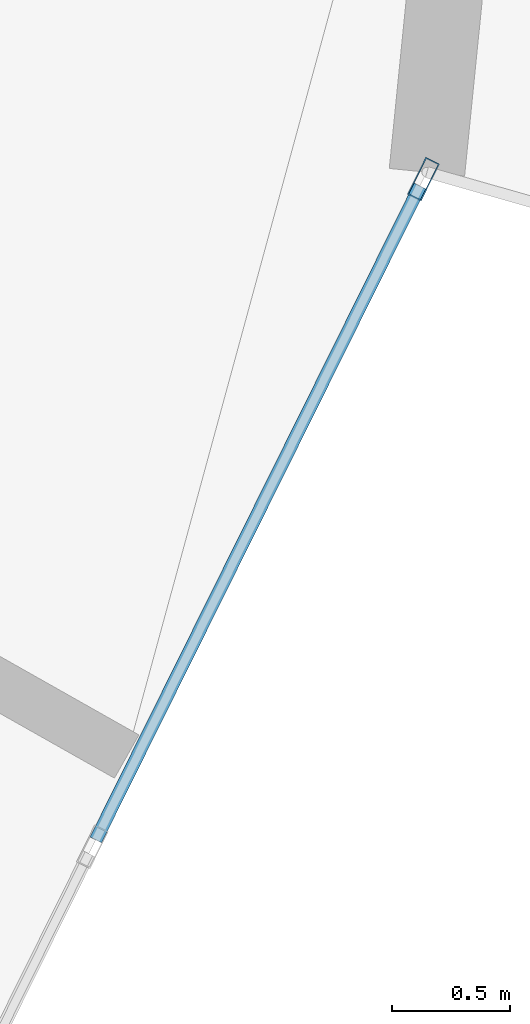
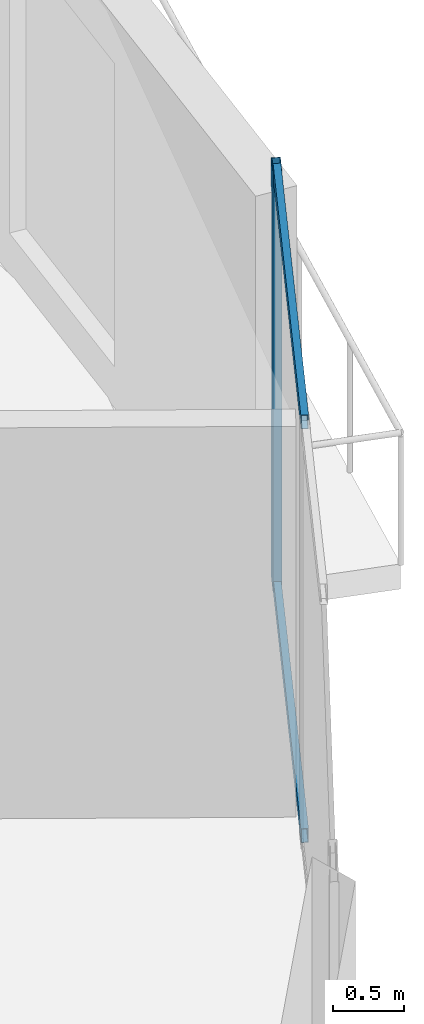
# One storey, part 11 of 25: 3 members, 1 element without a shape of its own.
"""IFC4 building model written with IfcOpenShell, lengths in metres."""

from ifc_helpers import new_model, si_unit, direction, frame, origin, origin_2d, place, context, subcontext, project, spatial, hollow_rectangle, extrude, source, transform, mapped, material, layer, layer_set, material_profile, profile_set, type_object, element, aggregate, save


model = new_model("IFC4")

# Units and contexts
model_context = context("Model", 3, precision=1e-05, world=origin(), true_north=direction((0.0, 1.0)))
body_context = subcontext(model_context, "Body", "Model", "MODEL_VIEW")
ifc_project = project(units=[si_unit("LENGTHUNIT", "METRE"), si_unit("AREAUNIT", "SQUARE_METRE"), si_unit("VOLUMEUNIT", "CUBIC_METRE"), si_unit("PLANEANGLEUNIT", "RADIAN"), si_unit("MASSUNIT", "GRAM", prefix="KILO")], contexts=[model_context])

# Site, building, storey
site_placement = place(None, origin())
site = spatial("IfcSite", under=ifc_project, at=site_placement, CompositionType="ELEMENT")
building_placement = place(site_placement, origin())
building = spatial("IfcBuilding", under=site, at=building_placement, Name="Solvirekh Grand Hotel", CompositionType="ELEMENT")
storey_placement = place(building_placement, frame((0.0, 0.0, 124.199951171875)))
storey = spatial("IfcBuildingStorey", under=building, at=storey_placement, Name="L31", CompositionType="ELEMENT", Elevation=124.199951171875)

# Curtain wall, members
ifc_material = material(Name="Anodized Bronze Aluminium 6063-T6", Category="aluminium")
ifc_layer = layer(ifc_material, 0.175048828125)
ifc_layer_set = layer_set([ifc_layer], Name="Anodized Bronze Aluminium 6063-T6")
curtain_wall_type = type_object("IfcCurtainWallType", Name="CW_Sys3_MidZoneFlushBronzeCW", PredefinedType="NOTDEFINED", material=ifc_layer_set)
curtain_wall_placement = place(storey_placement, origin())
curtain_wall = element("IfcCurtainWall", 1, at=curtain_wall_placement, inside=storey, type_object=curtain_wall_type, Name="L31 unitised bronze-glass curtain wall CW-L31-C01", PredefinedType="NOTDEFINED")
ifc_material_profile_1 = material_profile(ifc_material, hollow_rectangle(XDim=0.054931640625, YDim=0.1201171875, WallThickness=0.00390625, at=origin_2d()), Name="ALU RHS 120X55X4")
ifc_profile_set_1 = profile_set([ifc_material_profile_1], Name="Anodized Bronze Aluminium 6063-T6")
member_type_1 = type_object("IfcMemberType", Name="CWTransom_Sys3", PredefinedType="USERDEFINED", material=ifc_profile_set_1)
shared_shape_1 = source(origin(), body_context, "Body", "SweptSolid", [
    extrude(hollow_rectangle(XDim=0.054931640625, YDim=0.1201171875, WallThickness=0.00390625, at=origin_2d()), origin(), (0.0, 0.0, 1.0), 3.087158203125),
])
member_1_placement = place(storey_placement, frame((19.615478515625, -11.7529296875, 0.027587890625), z_axis=(0.444300891124, 0.895877624537, 0.0), x_axis=(-0.895877624537, 0.444300891124, 0.0)))
member_1 = element("IfcMember", 2, at=member_1_placement, type_object=member_type_1, Name="U03 transom 2.1", ObjectType="TRANSOM", PredefinedType="USERDEFINED", context=body_context, shape_type="MappedRepresentation", body=[
    mapped(shared_shape_1, transform((0.0, 0.0, 0.0), x_axis=(1.0, 0.0, 0.0), y_axis=(0.0, 1.0, 0.0), z_axis=(0.0, 0.0, 1.0), scale=1.0)),
])
member_2_placement = place(storey_placement, frame((19.615478515625, -11.7529296875, 3.572509765625), z_axis=(0.444300891124, 0.895877624537, 0.0), x_axis=(-0.895877624537, 0.444300891124, 0.0)))
member_2 = element("IfcMember", 3, at=member_2_placement, type_object=member_type_1, Name="U03 transom 2.2", ObjectType="TRANSOM", PredefinedType="USERDEFINED", context=body_context, shape_type="MappedRepresentation", body=[
    mapped(shared_shape_1, transform((0.0, 0.0, 0.0), x_axis=(1.0, 0.0, 0.0), y_axis=(0.0, 1.0, 0.0), z_axis=(0.0, 0.0, 1.0), scale=1.0)),
])
ifc_material_profile_2 = material_profile(ifc_material, hollow_rectangle(XDim=0.06494140625, YDim=0.175048828125, WallThickness=0.0048828125, at=origin_2d()), Name="ALU RHS 175X65X5")
ifc_profile_set_2 = profile_set([ifc_material_profile_2], Name="Anodized Bronze Aluminium 6063-T6")
member_type_2 = type_object("IfcMemberType", Name="CWMullion_Sys3", PredefinedType="MULLION", material=ifc_profile_set_2)
shared_shape_2 = source(origin(), body_context, "Body", "SweptSolid", [
    extrude(hollow_rectangle(XDim=0.06494140625, YDim=0.175048828125, WallThickness=0.0048828125, at=origin_2d()), origin(), (0.0, 0.0, 1.0), 3.60009765625),
])
member_3_placement = place(storey_placement, frame((21.00146484375, -8.9580078125, 0.0), z_axis=(0.0, 0.0, 1.0), x_axis=(-0.895866965892, 0.444322382313, 0.0)))
member_3 = element("IfcMember", 4, at=member_3_placement, type_object=member_type_2, Name="U03 mullion 3", PredefinedType="MULLION", context=body_context, shape_type="MappedRepresentation", body=[
    mapped(shared_shape_2, transform((0.0, 0.0, 0.0), x_axis=(1.0, 0.0, 0.0), y_axis=(0.0, 1.0, 0.0), z_axis=(0.0, 0.0, 1.0), scale=1.0)),
])
aggregate(curtain_wall, [member_3, member_1, member_2])

save(model, "model.ifc")
